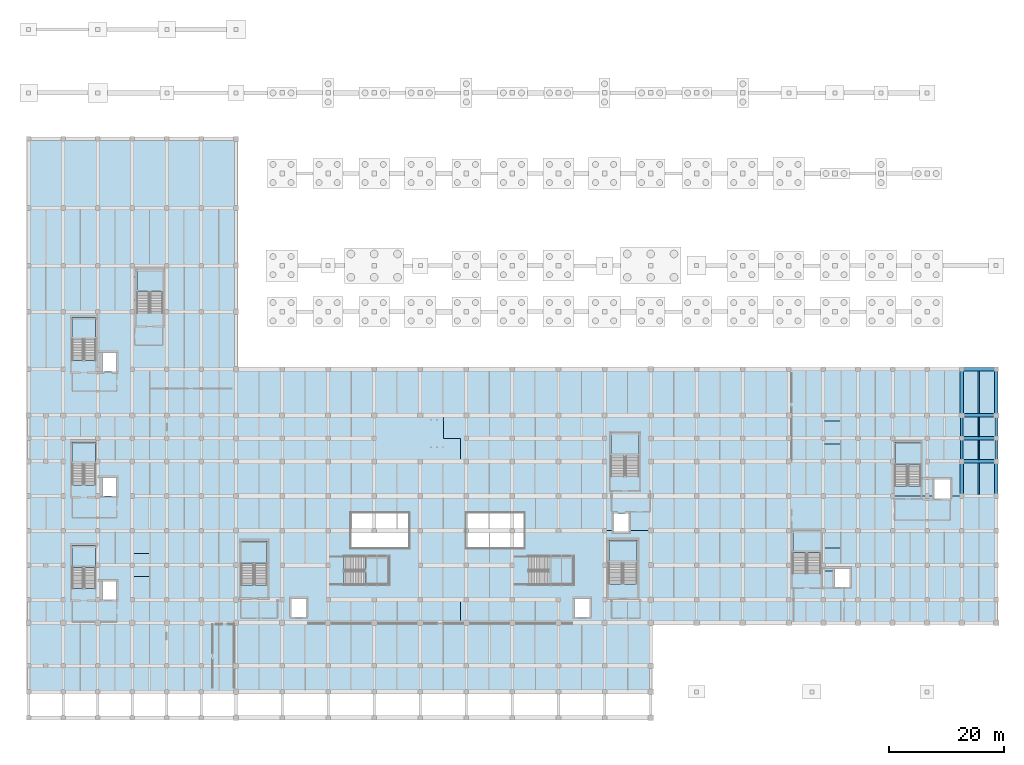
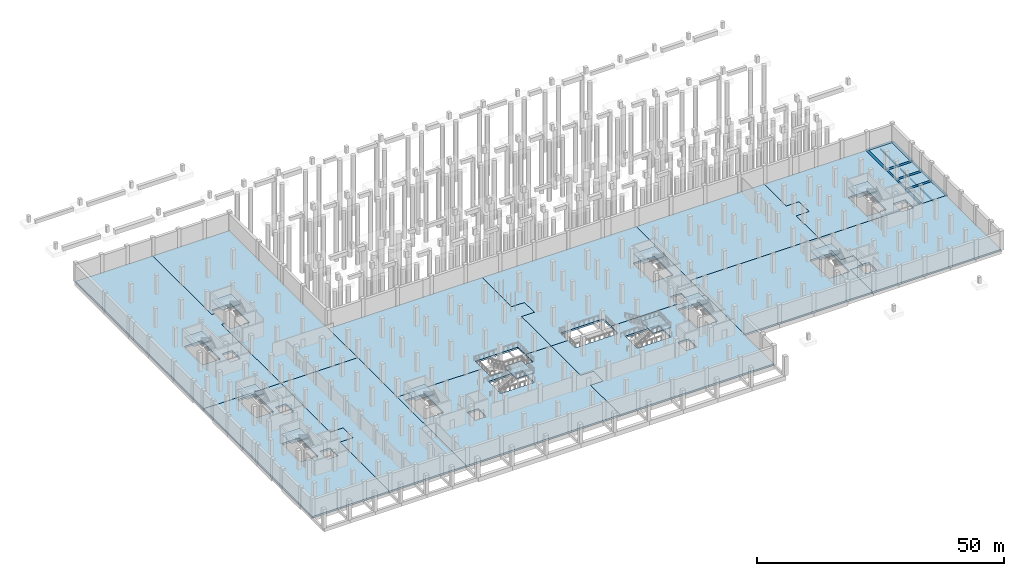
# One storey, part 18 of 36: 23 slabs, 16 beams, 11 elements without a shape of their own.
"""IFC4 building model written with IfcOpenShell, lengths in metres."""

from ifc_helpers import new_model, si_unit, direction, frame, origin, origin_2d, place, context, subcontext, project, spatial, polyline, rectangle, i_section, outline, extrude, material, layer, layer_set, material_profile, profile_set, type_object, element, aggregate, save


model = new_model("IFC4")

# Units and contexts
model_context = context("Model", 3, precision=1e-05, world=origin(), true_north=direction((0.0, 1.0)))
body_context = subcontext(model_context, "Body", "Model", "MODEL_VIEW")
ifc_project = project(units=[si_unit("LENGTHUNIT", "METRE"), si_unit("AREAUNIT", "SQUARE_METRE"), si_unit("VOLUMEUNIT", "CUBIC_METRE"), si_unit("PLANEANGLEUNIT", "RADIAN"), si_unit("MASSUNIT", "GRAM", prefix="KILO")], contexts=[model_context])

# Site, building, storey
site_placement = place(None, origin())
site = spatial("IfcSite", under=ifc_project, at=site_placement, CompositionType="ELEMENT")
building_placement = place(site_placement, origin())
building = spatial("IfcBuilding", under=site, at=building_placement, Name="Verrall Gate Interchange", CompositionType="ELEMENT")
storey_placement = place(building_placement, frame((0.0, 0.0, -4.800048828125)))
storey = spatial("IfcBuildingStorey", under=building, at=storey_placement, Name="B1", CompositionType="ELEMENT", Elevation=-4.800048828125)

# Beams
ifc_material_1 = material(Name="Concrete CSA A23.1 40 MPa (Class N)", Category="concrete")
ifc_material_profile_1 = material_profile(ifc_material_1, rectangle(XDim=0.60009765625, YDim=0.89990234375, at=origin_2d()), Name="RC600x900")
ifc_profile_set_1 = profile_set([ifc_material_profile_1], Name="Concrete CSA A23.1 40 MPa (Class N)")
beam_type_1 = type_object("IfcBeamType", Name="B-02 Structural Beam RC600x900", PredefinedType="BEAM", material=ifc_profile_set_1)
for number, where, z_axis, x_axis, name in (
    (1, (162.0, 40.0, -0.449951171875), (1.0, 0.0, 0.0), (0.0, 1.0, 0.0), "B1 Girder BM-B1-0171 (B-02)"),
    (2, (162.0, 44.0, -0.449951171875), (1.0, 0.0, 0.0), (0.0, 1.0, 0.0), "B1 Girder BM-B1-0192 (B-02)"),
    (3, (162.0, 48.0, -0.449951171875), (1.0, 0.0, 0.0), (0.0, 1.0, 0.0), "B1 Girder BM-B1-0217 (B-02)"),
    (4, (162.0, 56.0, -0.449951171875), (1.0, 0.0, 0.0), (0.0, 1.0, 0.0), "B1 Girder BM-B1-0239 (B-02)"),
    (5, (162.0, 34.0, -0.449951171875), (0.0, 1.0, 0.0), (-1.0, 0.0, 0.0), "B1 Girder BM-B1-0522 (B-02)"),
):
    element("IfcBeam", number, at=place(storey_placement, frame(where, z_axis=z_axis, x_axis=x_axis)), inside=storey, type_object=beam_type_1, Name=name, PredefinedType="BEAM", context=body_context, shape_type="SweptSolid", body=[
        extrude(rectangle(XDim=0.60009765625, YDim=0.89990234375, at=origin_2d()), origin(), (0.0, 0.0, 1.0), 6.0),
    ])
beam_1_placement = place(storey_placement, frame((162.0, 48.0, -0.449951171875), z_axis=(0.0, 1.0, 0.0), x_axis=(-1.0, 0.0, 0.0)))
element("IfcBeam", 6, at=beam_1_placement, inside=storey, type_object=beam_type_1, Name="B1 Girder BM-B1-0525 (B-02)", PredefinedType="BEAM", context=body_context, shape_type="SweptSolid", body=[
    extrude(rectangle(XDim=0.60009765625, YDim=0.89990234375, at=origin_2d()), origin(), (0.0, 0.0, 1.0), 8.0),
])
beam_2_placement = place(storey_placement, frame((168.0, 34.0, -0.449951171875), z_axis=(0.0, 1.0, 0.0), x_axis=(-1.0, 0.0, 0.0)))
element("IfcBeam", 7, at=beam_2_placement, inside=storey, type_object=beam_type_1, Name="B1 Girder BM-B1-0530 (B-02)", PredefinedType="BEAM", context=body_context, shape_type="SweptSolid", body=[
    extrude(rectangle(XDim=0.60009765625, YDim=0.89990234375, at=origin_2d()), origin(), (0.0, 0.0, 1.0), 6.0),
])
beam_3_placement = place(storey_placement, frame((168.0, 48.0, -0.449951171875), z_axis=(0.0, 1.0, 0.0), x_axis=(-1.0, 0.0, 0.0)))
element("IfcBeam", 8, at=beam_3_placement, inside=storey, type_object=beam_type_1, Name="B1 Girder BM-B1-0533 (B-02)", PredefinedType="BEAM", context=body_context, shape_type="SweptSolid", body=[
    extrude(rectangle(XDim=0.60009765625, YDim=0.89990234375, at=origin_2d()), origin(), (0.0, 0.0, 1.0), 8.0),
])
ifc_material_2 = material(Name="Concrete CSA A23.1 40 MPa (Class N)", Category="concrete")
ifc_material_profile_2 = material_profile(ifc_material_2, rectangle(XDim=0.449951171875, YDim=0.699951171875, at=origin_2d()), Name="RC450x700")
ifc_profile_set_2 = profile_set([ifc_material_profile_2], Name="Concrete CSA A23.1 40 MPa (Class N)")
beam_type_2 = type_object("IfcBeamType", Name="B-03 Structural Beam RC450x700", PredefinedType="BEAM", material=ifc_profile_set_2)
for number, where, z_axis, x_axis, name in (
    (9, (162.0, 40.0, -0.349853515625), (0.0, 1.0, 0.0), (-1.0, 0.0, 0.0), "B1 Girder BM-B1-0523 (B-03)"),
    (10, (162.0, 44.0, -0.349853515625), (0.0, 1.0, 0.0), (-1.0, 0.0, 0.0), "B1 Girder BM-B1-0524 (B-03)"),
    (11, (168.0, 40.0, -0.349853515625), (0.0, 1.0, 0.0), (-1.0, 0.0, 0.0), "B1 Girder BM-B1-0531 (B-03)"),
    (12, (168.0, 44.0, -0.349853515625), (0.0, 1.0, 0.0), (-1.0, 0.0, 0.0), "B1 Girder BM-B1-0532 (B-03)"),
):
    element("IfcBeam", number, at=place(storey_placement, frame(where, z_axis=z_axis, x_axis=x_axis)), inside=storey, type_object=beam_type_2, Name=name, PredefinedType="BEAM", context=body_context, shape_type="SweptSolid", body=[
        extrude(rectangle(XDim=0.449951171875, YDim=0.699951171875, at=origin_2d()), origin(), (0.0, 0.0, 1.0), 4.0),
    ])
ifc_material_3 = material(Name="Structural Steel CSA G40.21 350W", Category="steel")
ifc_material_profile_3 = material_profile(ifc_material_3, i_section(OverallWidth=0.172119140625, OverallDepth=0.35791015625, WebThickness=0.0078125, FlangeThickness=0.01318359375, FilletRadius=0.010986328125, at=origin_2d()), Name="W360x57")
ifc_profile_set_3 = profile_set([ifc_material_profile_3], Name="Structural Steel CSA G40.21 350W")
beam_type_3 = type_object("IfcBeamType", Name="J-01 Floor Joist W360x57", PredefinedType="JOIST", material=ifc_profile_set_3)
beam_4_placement = place(storey_placement, frame((165.0, 44.300048828125, -0.62890625), z_axis=(0.0, 1.0, 0.0), x_axis=(-1.0, 0.0, 0.0)))
element("IfcBeam", 13, at=beam_4_placement, inside=storey, type_object=beam_type_3, Name="B1 Secondary Floor Joist JST-B1-0682", PredefinedType="JOIST", context=body_context, shape_type="SweptSolid", body=[
    extrude(i_section(OverallWidth=0.172119140625, OverallDepth=0.35791015625, WebThickness=0.0078125, FlangeThickness=0.01318359375, FilletRadius=0.010986328125, at=origin_2d()), origin(), (0.0, 0.0, 1.0), 3.39990234375),
])
ifc_material_4 = material(Name="Structural Steel CSA G40.21 350W", Category="steel")
ifc_material_profile_4 = material_profile(ifc_material_4, i_section(OverallWidth=0.1650390625, OverallDepth=0.31005859375, WebThickness=0.005859375, FlangeThickness=0.009765625, FilletRadius=0.010009765625, at=origin_2d()), Name="W310x39")
ifc_profile_set_4 = profile_set([ifc_material_profile_4], Name="Structural Steel CSA G40.21 350W")
beam_type_4 = type_object("IfcBeamType", Name="J-04 Floor Joist W310x39", PredefinedType="JOIST", material=ifc_profile_set_4)
beam_5_placement = place(storey_placement, frame((165.0, 40.300048828125, -0.60498046875), z_axis=(0.0, 1.0, 0.0), x_axis=(-1.0, 0.0, 0.0)))
element("IfcBeam", 14, at=beam_5_placement, inside=storey, type_object=beam_type_4, Name="B1 Secondary Floor Joist JST-B1-0662", PredefinedType="JOIST", context=body_context, shape_type="SweptSolid", body=[
    extrude(i_section(OverallWidth=0.1650390625, OverallDepth=0.31005859375, WebThickness=0.005859375, FlangeThickness=0.009765625, FilletRadius=0.010009765625, at=origin_2d()), origin(), (0.0, 0.0, 1.0), 3.39990234375),
])
ifc_material_5 = material(Name="Structural Steel CSA G40.21 350W", Category="steel")
ifc_material_profile_5 = material_profile(ifc_material_5, i_section(OverallWidth=0.25390625, OverallDepth=0.2529296875, WebThickness=0.008544921875, FlangeThickness=0.01416015625, FilletRadius=0.011962890625, at=origin_2d()), Name="W250x73")
ifc_profile_set_5 = profile_set([ifc_material_profile_5], Name="Structural Steel CSA G40.21 350W")
beam_type_5 = type_object("IfcBeamType", Name="J-05 Floor Joist W250x73", PredefinedType="JOIST", material=ifc_profile_set_5)
beam_6_placement = place(storey_placement, frame((165.0, 34.300048828125, -0.576416015625), z_axis=(0.0, 1.0, 0.0), x_axis=(-1.0, 0.0, 0.0)))
element("IfcBeam", 15, at=beam_6_placement, inside=storey, type_object=beam_type_5, Name="B1 Secondary Floor Joist JST-B1-0644", PredefinedType="JOIST", context=body_context, shape_type="SweptSolid", body=[
    extrude(i_section(OverallWidth=0.25390625, OverallDepth=0.2529296875, WebThickness=0.008544921875, FlangeThickness=0.01416015625, FilletRadius=0.011962890625, at=origin_2d()), origin(), (0.0, 0.0, 1.0), 5.39990234375),
])
beam_7_placement = place(storey_placement, frame((165.0, 48.300048828125, -0.576416015625), z_axis=(0.0, 1.0, 0.0), x_axis=(-1.0, 0.0, 0.0)))
element("IfcBeam", 16, at=beam_7_placement, inside=storey, type_object=beam_type_5, Name="B1 Secondary Floor Joist JST-B1-0703", PredefinedType="JOIST", context=body_context, shape_type="SweptSolid", body=[
    extrude(i_section(OverallWidth=0.25390625, OverallDepth=0.2529296875, WebThickness=0.008544921875, FlangeThickness=0.01416015625, FilletRadius=0.011962890625, at=origin_2d()), origin(), (0.0, 0.0, 1.0), 7.39990234375),
])

# Slabs
ifc_material_6 = material(Name="Concrete CSA A23.1 35 MPa (Class S-2)", Category="concrete")
ifc_layer_1 = layer(ifc_material_6, 0.449951171875)
ifc_layer_set_1 = layer_set([ifc_layer_1], Name="Concrete CSA A23.1 35 MPa (Class S-2)")
slab_type_1 = type_object("IfcSlabType", Name="FS-03 Floor Slab 450", PredefinedType="FLOOR", material=ifc_layer_set_1)
slab_1_placement = place(storey_placement, frame((0.0, 0.0, -0.449951171875)))
element("IfcSlab", 17, at=slab_1_placement, inside=storey, type_object=slab_type_1, Name="B1 Structural Slab SLB-B1-01", PredefinedType="FLOOR", context=body_context, shape_type="SweptSolid", body=[
    extrude(outline(polyline([(0.0, 0.0), (0.0, 44.0), (18.0, 44.0), (18.0, 24.0), (21.0, 24.0), (21.0, 20.0), (18.0, 20.0), (18.0, 0.0), (0.0, 0.0)]), holes=[polyline([(15.25, 19.199951171875), (12.85009765625, 19.199951171875), (12.85009765625, 16.0), (15.25, 16.0), (15.25, 19.199951171875)]), polyline([(15.25, 37.199951171875), (12.85009765625, 37.199951171875), (12.85009765625, 34.0), (15.25, 34.0), (15.25, 37.199951171875)]), polyline([(11.64990234375, 17.949951171875), (11.64990234375, 25.39990234375), (7.550048828125, 25.39990234375), (7.550048828125, 17.949951171875), (11.64990234375, 17.949951171875)]), polyline([(11.64990234375, 43.39990234375), (7.550048828125, 43.39990234375), (7.550048828125, 35.949951171875), (11.64990234375, 35.949951171875), (11.64990234375, 43.39990234375)])]), origin(), (0.0, 0.0, 1.0), 0.449951171875),
])
slab_2_placement = place(storey_placement, frame((0.0, 0.0, -0.449951171875)))
element("IfcSlab", 18, at=slab_2_placement, inside=storey, type_object=slab_type_1, Name="B1 Structural Slab SLB-B1-02", PredefinedType="FLOOR", context=body_context, shape_type="SweptSolid", body=[
    extrude(outline(polyline([(36.0, 0.0), (18.0, 0.0), (18.0, 20.0), (21.0, 20.0), (21.0, 24.0), (18.0, 24.0), (18.0, 44.0), (36.0, 44.0), (36.0, 0.0)])), origin(), (0.0, 0.0, 1.0), 0.449951171875),
])
slab_3_placement = place(storey_placement, frame((0.0, 0.0, -0.449951171875)))
element("IfcSlab", 19, at=slab_3_placement, inside=storey, type_object=slab_type_1, Name="B1 Structural Slab SLB-B1-03", PredefinedType="FLOOR", context=body_context, shape_type="SweptSolid", body=[
    extrude(outline(polyline([(0.0, 96.0), (18.0, 96.0), (18.0, 72.0), (18.800048828125, 72.0), (18.800048828125, 68.0), (18.0, 68.0), (18.0, 44.0), (0.0, 44.0), (0.0, 96.0)]), holes=[polyline([(15.25, 58.89990234375), (12.85009765625, 58.89990234375), (12.85009765625, 55.60009765625), (15.25, 55.60009765625), (15.25, 58.89990234375)]), polyline([(11.64990234375, 65.0), (7.550048828125, 65.0), (7.550048828125, 57.550048828125), (11.64990234375, 57.550048828125), (11.64990234375, 65.0)])]), origin(), (0.0, 0.0, 1.0), 0.449951171875),
])
slab_4_placement = place(storey_placement, frame((0.0, 0.0, -0.449951171875)))
element("IfcSlab", 20, at=slab_4_placement, inside=storey, type_object=slab_type_1, Name="B1 Structural Slab SLB-B1-04", PredefinedType="FLOOR", context=body_context, shape_type="SweptSolid", body=[
    extrude(outline(polyline([(36.0, 44.0), (18.0, 44.0), (18.0, 68.0), (18.800048828125, 68.0), (18.800048828125, 65.75), (23.300048828125, 65.75), (23.300048828125, 73.39990234375), (18.800048828125, 73.39990234375), (18.800048828125, 72.0), (18.0, 72.0), (18.0, 96.0), (36.0, 96.0), (36.0, 44.0)])), origin(), (0.0, 0.0, 1.0), 0.449951171875),
])
slab_5_placement = place(storey_placement, frame((0.0, 0.0, -0.449951171875)))
element("IfcSlab", 21, at=slab_5_placement, inside=storey, type_object=slab_type_1, Name="B1 Structural Slab SLB-B1-05", PredefinedType="FLOOR", context=body_context, shape_type="SweptSolid", body=[
    extrude(outline(polyline([(36.0, 28.0), (56.0, 28.0), (56.0, 25.0), (66.0, 25.0), (66.0, 28.0), (72.0, 28.0), (72.0, 16.0), (75.0, 16.0), (75.0, 12.0), (72.0, 12.0), (72.0, 0.0), (36.0, 0.0), (36.0, 28.0)]), holes=[polyline([(54.75, 23.5), (54.75, 18.60009765625), (62.60009765625, 18.60009765625), (62.60009765625, 23.5), (54.75, 23.5)]), polyline([(45.60009765625, 16.199951171875), (45.60009765625, 13.0), (48.199951171875, 13.0), (48.199951171875, 16.199951171875), (45.60009765625, 16.199951171875)]), polyline([(41.39990234375, 26.199951171875), (36.89990234375, 26.199951171875), (36.89990234375, 18.550048828125), (41.39990234375, 18.550048828125), (41.39990234375, 26.199951171875)])]), origin(), (0.0, 0.0, 1.0), 0.449951171875),
])
slab_6_placement = place(storey_placement, frame((0.0, 0.0, -0.449951171875)))
element("IfcSlab", 22, at=slab_6_placement, inside=storey, type_object=slab_type_1, Name="B1 Structural Slab SLB-B1-06", PredefinedType="FLOOR", context=body_context, shape_type="SweptSolid", body=[
    extrude(outline(polyline([(76.0, 25.0), (86.0, 25.0), (86.0, 28.0), (101.60009765625, 28.0), (101.60009765625, 27.800048828125), (104.199951171875, 27.800048828125), (104.199951171875, 28.0), (108.0, 28.0), (108.0, 0.0), (72.0, 0.0), (72.0, 12.0), (75.0, 12.0), (75.0, 16.0), (72.0, 16.0), (72.0, 28.0), (76.0, 28.0), (76.0, 25.0)]), holes=[polyline([(105.639892578125, 26.39990234375), (100.739990234375, 26.39990234375), (100.739990234375, 18.75), (105.639892578125, 18.75), (105.639892578125, 26.39990234375)]), polyline([(94.800048828125, 16.199951171875), (94.800048828125, 13.0), (97.39990234375, 13.0), (97.39990234375, 16.199951171875), (94.800048828125, 16.199951171875)]), polyline([(94.60009765625, 23.5), (86.75, 23.5), (86.75, 18.60009765625), (94.60009765625, 18.60009765625), (94.60009765625, 23.5)])]), origin(), (0.0, 0.0, 1.0), 0.449951171875),
])
slab_7_placement = place(storey_placement, frame((0.0, 0.0, -0.449951171875)))
element("IfcSlab", 23, at=slab_7_placement, inside=storey, type_object=slab_type_1, Name="B1 Structural Slab SLB-B1-07", PredefinedType="FLOOR", context=body_context, shape_type="SweptSolid", body=[
    extrude(outline(polyline([(66.0, 31.0), (56.0, 31.0), (56.0, 28.0), (36.0, 28.0), (36.0, 44.0), (36.0, 56.0), (72.0, 56.0), (72.0, 44.0), (75.0, 44.0), (75.0, 40.0), (72.0, 40.0), (72.0, 28.0), (66.0, 28.0), (66.0, 31.0)])), origin(), (0.0, 0.0, 1.0), 0.449951171875),
])
slab_8_placement = place(storey_placement, frame((0.0, 0.0, -0.449951171875)))
element("IfcSlab", 24, at=slab_8_placement, inside=storey, type_object=slab_type_1, Name="B1 Structural Slab SLB-B1-08", PredefinedType="FLOOR", context=body_context, shape_type="SweptSolid", body=[
    extrude(outline(polyline([(108.0, 28.0), (104.199951171875, 28.0), (104.199951171875, 31.0), (101.60009765625, 31.0), (101.60009765625, 28.0), (86.0, 28.0), (86.0, 31.0), (76.0, 31.0), (76.0, 28.0), (72.0, 28.0), (72.0, 40.0), (75.0, 40.0), (75.0, 44.0), (72.0, 44.0), (72.0, 56.0), (108.0, 56.0), (108.0, 28.0)]), holes=[polyline([(106.0, 45.0), (101.10009765625, 45.0), (101.10009765625, 37.35009765625), (106.0, 37.35009765625), (106.0, 45.0)])]), origin(), (0.0, 0.0, 1.0), 0.449951171875),
])
slab_9_placement = place(storey_placement, frame((0.0, 0.0, -0.449951171875)))
element("IfcSlab", 25, at=slab_9_placement, inside=storey, type_object=slab_type_1, Name="B1 Structural Slab SLB-B1-09", PredefinedType="FLOOR", context=body_context, shape_type="SweptSolid", body=[
    extrude(outline(polyline([(108.0, 28.0), (108.0, 34.0), (138.0, 34.0), (138.0, 25.0), (141.0, 25.0), (141.0, 21.39990234375), (139.93994140625, 21.39990234375), (139.93994140625, 21.0), (138.0, 21.0), (138.0, 12.0), (108.0, 12.0), (108.0, 28.0)]), holes=[polyline([(132.679931640625, 28.0), (132.679931640625, 20.530029296875), (137.5400390625, 20.530029296875), (137.5400390625, 28.0), (132.679931640625, 28.0)])]), origin(), (0.0, 0.0, 1.0), 0.449951171875),
])
slab_10_placement = place(storey_placement, frame((0.0, 0.0, -0.449951171875)))
element("IfcSlab", 26, at=slab_10_placement, inside=storey, type_object=slab_type_1, Name="B1 Structural Slab SLB-B1-10", PredefinedType="FLOOR", context=body_context, shape_type="SweptSolid", body=[
    extrude(outline(polyline([(157.199951171875, 33.60009765625), (160.0, 33.60009765625), (160.0, 34.0), (168.0, 34.0), (168.0, 12.0), (138.0, 12.0), (138.0, 21.0), (139.93994140625, 21.0), (139.93994140625, 18.199951171875), (142.5400390625, 18.199951171875), (142.5400390625, 21.39990234375), (141.0, 21.39990234375), (141.0, 25.0), (138.0, 25.0), (138.0, 34.0), (157.199951171875, 34.0), (157.199951171875, 33.60009765625)])), origin(), (0.0, 0.0, 1.0), 0.449951171875),
])
slab_11_placement = place(storey_placement, frame((0.0, 0.0, -0.449951171875)))
element("IfcSlab", 27, at=slab_11_placement, inside=storey, type_object=slab_type_1, Name="B1 Structural Slab SLB-B1-11", PredefinedType="FLOOR", context=body_context, shape_type="SweptSolid", body=[
    extrude(outline(polyline([(108.0, 56.0), (138.0, 56.0), (138.0, 47.0), (141.0, 47.0), (141.0, 43.0), (138.0, 43.0), (138.0, 34.0), (108.0, 34.0), (108.0, 56.0)])), origin(), (0.0, 0.0, 1.0), 0.449951171875),
])
slab_12_placement = place(storey_placement, frame((0.0, 0.0, -0.449951171875)))
element("IfcSlab", 28, at=slab_12_placement, inside=storey, type_object=slab_type_1, Name="B1 Structural Slab SLB-B1-12", PredefinedType="FLOOR", context=body_context, shape_type="SweptSolid", body=[
    extrude(outline(polyline([(168.0, 34.0), (160.0, 34.0), (160.0, 36.89990234375), (157.199951171875, 36.89990234375), (157.199951171875, 34.0), (138.0, 34.0), (138.0, 43.0), (141.0, 43.0), (141.0, 47.0), (138.0, 47.0), (138.0, 56.0), (168.0, 56.0), (168.0, 34.0)]), holes=[polyline([(154.89990234375, 43.39990234375), (150.39990234375, 43.39990234375), (150.39990234375, 35.75), (154.89990234375, 35.75), (154.89990234375, 43.39990234375)])]), origin(), (0.0, 0.0, 1.0), 0.449951171875),
])

# Stair, slab
ifc_material_7 = material(Name="Concrete CSA A23.1 40 MPa (Class N)", Category="concrete")
stair_type_1 = type_object("IfcStairType", Name="ST-T02 Straight-Flight Return Exit Stair W1950 H4800", PredefinedType="STRAIGHT_RUN_STAIR", material=ifc_material_7)
stair_1_placement = place(storey_placement, origin())
stair_1 = element("IfcStair", 29, at=stair_1_placement, inside=storey, type_object=stair_type_1, Name="B1 ST-01", PredefinedType="STRAIGHT_RUN_STAIR")
ifc_material_8 = material(Name="Concrete CSA A23.1 40 MPa (Class N)", Category="concrete")
ifc_layer_2 = layer(ifc_material_8, 0.18994140625)
ifc_layer_set_2 = layer_set([ifc_layer_2], Name="Concrete CSA A23.1 40 MPa (Class N)")
slab_type_2 = type_object("IfcSlabType", Name="LS-01 Stair Landing Slab 190", PredefinedType="LANDING", material=ifc_layer_set_2)
slab_13_placement = place(storey_placement, frame((0.0, 0.0, 2.199951171875)))
slab_13 = element("IfcSlab", 30, at=slab_13_placement, type_object=slab_type_2, Name="ST-01 landing 1", PredefinedType="LANDING", context=body_context, shape_type="SweptSolid", body=[
    extrude(outline(polyline([(11.64990234375, 21.590087890625), (11.64990234375, 25.39990234375), (7.550048828125, 25.39990234375), (7.550048828125, 21.590087890625), (11.64990234375, 21.590087890625)])), origin(), (0.0, 0.0, 1.0), 0.2001953125),
])
aggregate(stair_1, [slab_13])

stair_2_placement = place(storey_placement, origin())
stair_2 = element("IfcStair", 31, at=stair_2_placement, inside=storey, type_object=stair_type_1, Name="B1 ST-02", PredefinedType="STRAIGHT_RUN_STAIR")
slab_14_placement = place(storey_placement, frame((0.0, 0.0, 2.199951171875)))
slab_14 = element("IfcSlab", 32, at=slab_14_placement, type_object=slab_type_2, Name="ST-02 landing 1", PredefinedType="LANDING", context=body_context, shape_type="SweptSolid", body=[
    extrude(outline(polyline([(11.64990234375, 39.590087890625), (11.64990234375, 43.39990234375), (7.550048828125, 43.39990234375), (7.550048828125, 39.590087890625), (11.64990234375, 39.590087890625)])), origin(), (0.0, 0.0, 1.0), 0.2001953125),
])
aggregate(stair_2, [slab_14])

stair_3_placement = place(storey_placement, origin())
stair_3 = element("IfcStair", 33, at=stair_3_placement, inside=storey, type_object=stair_type_1, Name="B1 ST-03", PredefinedType="STRAIGHT_RUN_STAIR")
slab_15_placement = place(storey_placement, frame((0.0, 0.0, 2.199951171875)))
slab_15 = element("IfcSlab", 34, at=slab_15_placement, type_object=slab_type_2, Name="ST-03 landing 1", PredefinedType="LANDING", context=body_context, shape_type="SweptSolid", body=[
    extrude(outline(polyline([(11.64990234375, 61.18994140625), (11.64990234375, 65.0), (7.550048828125, 65.0), (7.550048828125, 61.18994140625), (11.64990234375, 61.18994140625)])), origin(), (0.0, 0.0, 1.0), 0.2001953125),
])
aggregate(stair_3, [slab_15])

ifc_material_9 = material(Name="Concrete CSA A23.1 40 MPa (Class N)", Category="concrete")
stair_type_2 = type_object("IfcStairType", Name="ST-T08 Straight-Flight Return Exit Stair W2150 H4800", PredefinedType="STRAIGHT_RUN_STAIR", material=ifc_material_9)
stair_4_placement = place(storey_placement, origin())
stair_4 = element("IfcStair", 35, at=stair_4_placement, inside=storey, type_object=stair_type_2, Name="B1 ST-04", PredefinedType="STRAIGHT_RUN_STAIR")
slab_16_placement = place(storey_placement, frame((0.0, 0.0, 2.199951171875)))
slab_16 = element("IfcSlab", 36, at=slab_16_placement, type_object=slab_type_2, Name="ST-04 landing 1", PredefinedType="LANDING", context=body_context, shape_type="SweptSolid", body=[
    extrude(outline(polyline([(23.300048828125, 69.389892578125), (23.300048828125, 73.39990234375), (18.800048828125, 73.39990234375), (18.800048828125, 69.389892578125), (23.300048828125, 69.389892578125)])), origin(), (0.0, 0.0, 1.0), 0.2001953125),
])
aggregate(stair_4, [slab_16])

stair_5_placement = place(storey_placement, origin())
stair_5 = element("IfcStair", 37, at=stair_5_placement, inside=storey, type_object=stair_type_2, Name="B1 ST-05", PredefinedType="STRAIGHT_RUN_STAIR")
slab_17_placement = place(storey_placement, frame((0.0, 0.0, 2.199951171875)))
slab_17 = element("IfcSlab", 38, at=slab_17_placement, type_object=slab_type_2, Name="ST-05 landing 1", PredefinedType="LANDING", context=body_context, shape_type="SweptSolid", body=[
    extrude(outline(polyline([(41.39990234375, 22.18994140625), (41.39990234375, 26.199951171875), (36.89990234375, 26.199951171875), (36.89990234375, 22.18994140625), (41.39990234375, 22.18994140625)])), origin(), (0.0, 0.0, 1.0), 0.2001953125),
])
aggregate(stair_5, [slab_17])

ifc_material_10 = material(Name="Concrete CSA A23.1 40 MPa (Class N)", Category="concrete")
stair_type_3 = type_object("IfcStairType", Name="ST-T12 Straight-Flight Return Exit Stair W2350 H4800", PredefinedType="STRAIGHT_RUN_STAIR", material=ifc_material_10)
stair_6_placement = place(storey_placement, origin())
stair_6 = element("IfcStair", 39, at=stair_6_placement, inside=storey, type_object=stair_type_3, Name="B1 ST-06", PredefinedType="STRAIGHT_RUN_STAIR")
slab_18_placement = place(storey_placement, frame((0.0, 0.0, 2.199951171875)))
slab_18 = element("IfcSlab", 40, at=slab_18_placement, type_object=slab_type_2, Name="ST-06 landing 1", PredefinedType="LANDING", context=body_context, shape_type="SweptSolid", body=[
    extrude(outline(polyline([(105.639892578125, 22.389892578125), (105.639892578125, 26.39990234375), (100.739990234375, 26.39990234375), (100.739990234375, 22.389892578125), (105.639892578125, 22.389892578125)])), origin(), (0.0, 0.0, 1.0), 0.2001953125),
])
aggregate(stair_6, [slab_18])

stair_7_placement = place(storey_placement, origin())
stair_7 = element("IfcStair", 41, at=stair_7_placement, inside=storey, type_object=stair_type_3, Name="B1 ST-07", PredefinedType="STRAIGHT_RUN_STAIR")
slab_19_placement = place(storey_placement, frame((0.0, 0.0, 2.199951171875)))
slab_19 = element("IfcSlab", 42, at=slab_19_placement, type_object=slab_type_2, Name="ST-07 landing 1", PredefinedType="LANDING", context=body_context, shape_type="SweptSolid", body=[
    extrude(outline(polyline([(106.0, 40.989990234375), (106.0, 45.0), (101.10009765625, 45.0), (101.10009765625, 40.989990234375), (106.0, 40.989990234375)])), origin(), (0.0, 0.0, 1.0), 0.2001953125),
])
aggregate(stair_7, [slab_19])

ifc_material_11 = material(Name="Concrete CSA A23.1 40 MPa (Class N)", Category="concrete")
stair_type_4 = type_object("IfcStairType", Name="ST-T15 Straight-Flight Return Exit Stair W2330 H4800", PredefinedType="STRAIGHT_RUN_STAIR", material=ifc_material_11)
stair_8_placement = place(storey_placement, origin())
stair_8 = element("IfcStair", 43, at=stair_8_placement, inside=storey, type_object=stair_type_4, Name="B1 ST-08", PredefinedType="STRAIGHT_RUN_STAIR")
slab_20_placement = place(storey_placement, frame((0.0, 0.0, 2.199951171875)))
slab_20 = element("IfcSlab", 44, at=slab_20_placement, type_object=slab_type_2, Name="ST-08 landing 1", PredefinedType="LANDING", context=body_context, shape_type="SweptSolid", body=[
    extrude(outline(polyline([(137.5400390625, 24.169921875), (137.5400390625, 28.0), (132.679931640625, 28.0), (132.679931640625, 24.169921875), (137.5400390625, 24.169921875)])), origin(), (0.0, 0.0, 1.0), 0.2001953125),
])
aggregate(stair_8, [slab_20])

stair_9_placement = place(storey_placement, origin())
stair_9 = element("IfcStair", 45, at=stair_9_placement, inside=storey, type_object=stair_type_2, Name="B1 ST-09", PredefinedType="STRAIGHT_RUN_STAIR")
slab_21_placement = place(storey_placement, frame((0.0, 0.0, 2.199951171875)))
slab_21 = element("IfcSlab", 46, at=slab_21_placement, type_object=slab_type_2, Name="ST-09 landing 1", PredefinedType="LANDING", context=body_context, shape_type="SweptSolid", body=[
    extrude(outline(polyline([(154.89990234375, 39.389892578125), (154.89990234375, 43.39990234375), (150.39990234375, 43.39990234375), (150.39990234375, 39.389892578125), (154.89990234375, 39.389892578125)])), origin(), (0.0, 0.0, 1.0), 0.2001953125),
])
aggregate(stair_9, [slab_21])

stair_10_placement = place(storey_placement, origin())
stair_10 = element("IfcStair", 47, at=stair_10_placement, inside=storey, type_object=stair_type_3, Name="B1 ST-10", PredefinedType="STRAIGHT_RUN_STAIR")
slab_22_placement = place(storey_placement, frame((0.0, 0.0, 2.199951171875)))
slab_22 = element("IfcSlab", 48, at=slab_22_placement, type_object=slab_type_2, Name="ST-10 landing 1", PredefinedType="LANDING", context=body_context, shape_type="SweptSolid", body=[
    extrude(outline(polyline([(58.389892578125, 18.60009765625), (62.60009765625, 18.60009765625), (62.60009765625, 23.5), (58.389892578125, 23.5), (58.389892578125, 18.60009765625)])), origin(), (0.0, 0.0, 1.0), 0.2001953125),
])
aggregate(stair_10, [slab_22])

stair_11_placement = place(storey_placement, origin())
stair_11 = element("IfcStair", 49, at=stair_11_placement, inside=storey, type_object=stair_type_3, Name="B1 ST-11", PredefinedType="STRAIGHT_RUN_STAIR")
slab_23_placement = place(storey_placement, frame((0.0, 0.0, 2.199951171875)))
slab_23 = element("IfcSlab", 50, at=slab_23_placement, type_object=slab_type_2, Name="ST-11 landing 1", PredefinedType="LANDING", context=body_context, shape_type="SweptSolid", body=[
    extrude(outline(polyline([(90.389892578125, 18.60009765625), (94.60009765625, 18.60009765625), (94.60009765625, 23.5), (90.389892578125, 23.5), (90.389892578125, 18.60009765625)])), origin(), (0.0, 0.0, 1.0), 0.2001953125),
])
aggregate(stair_11, [slab_23])

save(model, "model.ifc")
